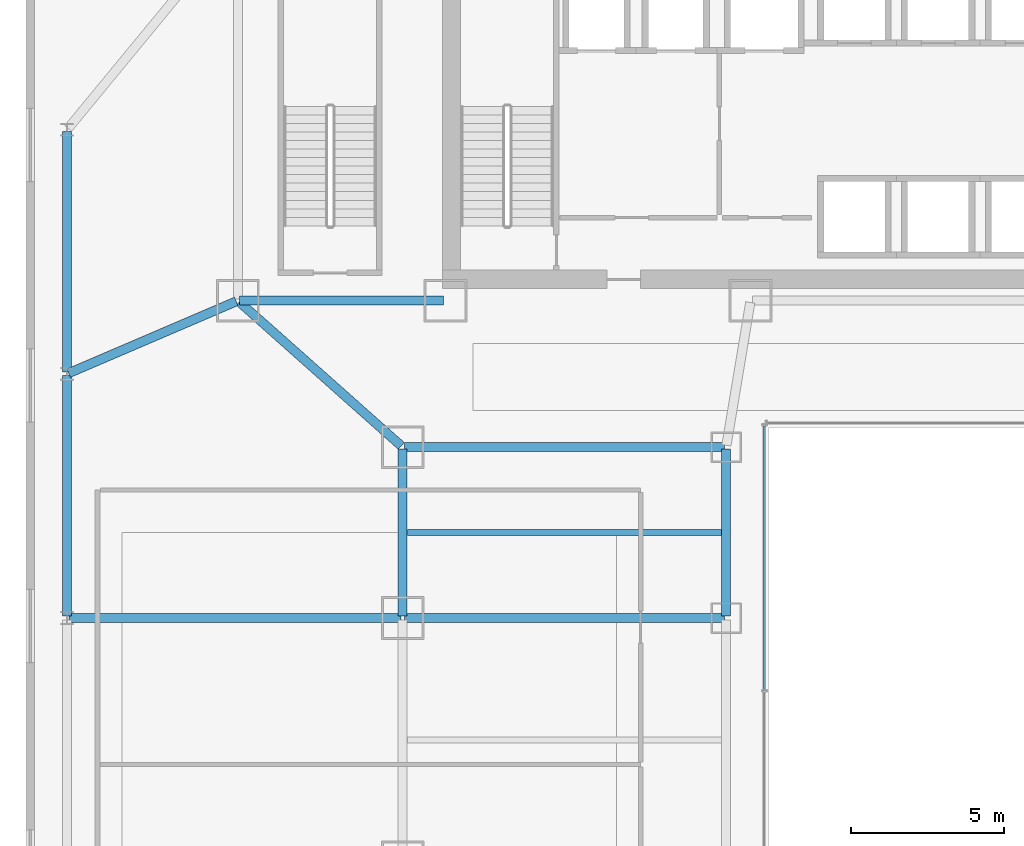
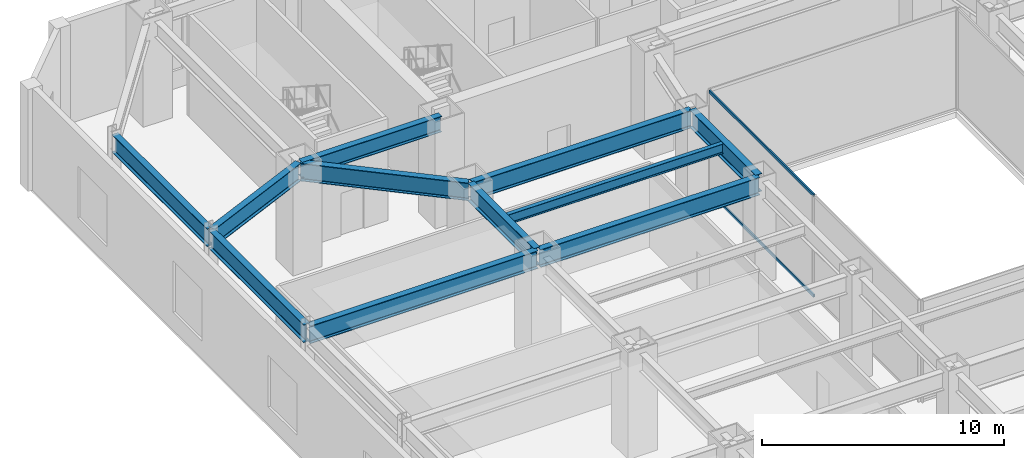
# One storey, part 23 of 53: 11 beams, 2 members, 1 element without a shape of its own.
"""IFC4 building model written with IfcOpenShell, lengths in metres."""

from ifc_helpers import new_model, si_unit, direction, frame, origin, origin_2d, place, context, subcontext, project, spatial, hollow_rectangle, i_section, extrude, material, material_profile, profile_set, type_object, element, aggregate, save


model = new_model("IFC4")

# Units and contexts
model_context = context("Model", 3, precision=1e-05, world=origin(), true_north=direction((0.0, 1.0)))
body_context = subcontext(model_context, "Body", "Model", "MODEL_VIEW")
ifc_project = project(units=[si_unit("LENGTHUNIT", "METRE"), si_unit("AREAUNIT", "SQUARE_METRE"), si_unit("VOLUMEUNIT", "CUBIC_METRE"), si_unit("PLANEANGLEUNIT", "RADIAN"), si_unit("MASSUNIT", "GRAM", prefix="KILO")], contexts=[model_context])

# Site, building, storey
site_placement = place(None, origin())
site = spatial("IfcSite", under=ifc_project, at=site_placement, CompositionType="ELEMENT")
building_placement = place(site_placement, origin())
building = spatial("IfcBuilding", under=site, at=building_placement, Name="Saevonmaru Cultural Tower", CompositionType="ELEMENT")
storey_placement = place(building_placement, frame((0.0, 0.0, 22.199951171875)))
storey = spatial("IfcBuildingStorey", under=building, at=storey_placement, Name="L04", CompositionType="ELEMENT", Elevation=22.199951171875)

# Beams
ifc_material_1 = material(Name="Steel SM420", Category="steel")
ifc_material_profile_1 = material_profile(ifc_material_1, i_section(OverallWidth=0.300048828125, OverallDepth=0.800048828125, WebThickness=0.013916015625, FlangeThickness=0.02587890625, FilletRadius=0.028076171875, at=origin_2d()), Name="H-800x300x14x26")
ifc_profile_set_1 = profile_set([ifc_material_profile_1], Name="Steel SM420")
beam_type_1 = type_object("IfcBeamType", Name="BM-G-H800", PredefinedType="BEAM", material=ifc_profile_set_1)
beam_1_placement = place(storey_placement, frame((6.860107421875, 42.39990234375, 4.75), z_axis=(1.0, 0.0, 0.0), x_axis=(0.0, 1.0, 0.0)))
element("IfcBeam", 1, at=beam_1_placement, inside=storey, type_object=beam_type_1, Name="L04 Core South Girder 1", PredefinedType="BEAM", context=body_context, shape_type="SweptSolid", body=[
    extrude(i_section(OverallWidth=0.300048828125, OverallDepth=0.800048828125, WebThickness=0.013916015625, FlangeThickness=0.02587890625, FilletRadius=0.028076171875, at=origin_2d()), origin(), (0.0, 0.0, 1.0), 6.679931640625),
])
ifc_material_profile_2 = material_profile(ifc_material_1, i_section(OverallWidth=0.300048828125, OverallDepth=0.89990234375, WebThickness=0.01611328125, FlangeThickness=0.028076171875, FilletRadius=0.028076171875, at=origin_2d()), Name="H-900x300x16x28")
ifc_profile_set_2 = profile_set([ifc_material_profile_2], Name="Steel SM420")
beam_type_2 = type_object("IfcBeamType", Name="BM-G-H900", PredefinedType="BEAM", material=ifc_profile_set_2)
beam_2_placement = place(storey_placement, frame((12.199951171875, 32.06005859375, 4.699951171875), z_axis=(0.0, 1.0, 0.0), x_axis=(-1.0, 0.0, 0.0)))
element("IfcBeam", 2, at=beam_2_placement, inside=storey, type_object=beam_type_2, Name="L04 Podium Girder NS1-5", PredefinedType="BEAM", context=body_context, shape_type="SweptSolid", body=[
    extrude(i_section(OverallWidth=0.300048828125, OverallDepth=0.89990234375, WebThickness=0.01611328125, FlangeThickness=0.028076171875, FilletRadius=0.028076171875, at=origin_2d()), origin(), (0.0, 0.0, 1.0), 5.47998046875),
])
beam_3_placement = place(storey_placement, frame((12.1552734375, 37.639892578125, 4.699951171875), z_axis=(-0.74742827637, 0.664342510819, 0.0), x_axis=(-0.664342510819, -0.74742827637, 0.0)))
element("IfcBeam", 3, at=beam_3_placement, inside=storey, type_object=beam_type_2, Name="L04 Podium Girder NS1-6", PredefinedType="BEAM", context=body_context, shape_type="SweptSolid", body=[
    extrude(i_section(OverallWidth=0.300048828125, OverallDepth=0.89990234375, WebThickness=0.01611328125, FlangeThickness=0.028076171875, FilletRadius=0.028076171875, at=origin_2d()), origin(), (0.0, 0.0, 1.0), 7.10498046875),
])
beam_4_placement = place(storey_placement, frame((22.800048828125, 32.06005859375, 4.699951171875), z_axis=(0.0, 1.0, 0.0), x_axis=(-1.0, 0.0, 0.0)))
element("IfcBeam", 4, at=beam_4_placement, inside=storey, type_object=beam_type_2, Name="L04 Podium Girder NS2-5", PredefinedType="BEAM", context=body_context, shape_type="SweptSolid", body=[
    extrude(i_section(OverallWidth=0.300048828125, OverallDepth=0.89990234375, WebThickness=0.01611328125, FlangeThickness=0.028076171875, FilletRadius=0.028076171875, at=origin_2d()), origin(), (0.0, 0.0, 1.0), 5.47998046875),
])
for number, where, z_axis, x_axis, name in (
    (5, (12.260009765625, 32.0, 4.699951171875), (1.0, 0.0, 0.0), (0.0, 1.0, 0.0), "L04 Gallery Girder W-4"),
    (6, (12.260009765625, 37.60009765625, 4.699951171875), (1.0, 0.0, 0.0), (0.0, 1.0, 0.0), "L04 Gallery Girder W-5"),
):
    element("IfcBeam", number, at=place(storey_placement, frame(where, z_axis=z_axis, x_axis=x_axis)), inside=storey, type_object=beam_type_2, Name=name, PredefinedType="BEAM", context=body_context, shape_type="SweptSolid", body=[
        extrude(i_section(OverallWidth=0.300048828125, OverallDepth=0.89990234375, WebThickness=0.01611328125, FlangeThickness=0.028076171875, FilletRadius=0.028076171875, at=origin_2d()), origin(), (0.0, 0.0, 1.0), 10.47998046875),
    ])
beam_5_placement = place(storey_placement, frame((1.260009765625, 32.0, 4.699951171875), z_axis=(1.0, 0.0, 0.0), x_axis=(0.0, 1.0, 0.0)))
element("IfcBeam", 7, at=beam_5_placement, inside=storey, type_object=beam_type_2, Name="BM-POD-OW-4-L04", PredefinedType="BEAM", context=body_context, shape_type="SweptSolid", body=[
    extrude(i_section(OverallWidth=0.300048828125, OverallDepth=0.89990234375, WebThickness=0.01611328125, FlangeThickness=0.028076171875, FilletRadius=0.028076171875, at=origin_2d()), origin(), (0.0, 0.0, 1.0), 10.8798828125),
])
for number, where, z_axis, x_axis, name in (
    (8, (1.199951171875, 32.06005859375, 4.699951171875), (0.0, 1.0, 0.0), (-1.0, 0.0, 0.0), "BM-POD-PW-4-L04"),
    (9, (1.199951171875, 40.06005859375, 4.699951171875), (0.0, 1.0, 0.0), (-1.0, 0.0, 0.0), "BM-POD-PW-5-L04"),
):
    element("IfcBeam", number, at=place(storey_placement, frame(where, z_axis=z_axis, x_axis=x_axis)), inside=storey, type_object=beam_type_2, Name=name, PredefinedType="BEAM", context=body_context, shape_type="SweptSolid", body=[
        extrude(i_section(OverallWidth=0.300048828125, OverallDepth=0.89990234375, WebThickness=0.01611328125, FlangeThickness=0.028076171875, FilletRadius=0.028076171875, at=origin_2d()), origin(), (0.0, 0.0, 1.0), 7.8798828125),
    ])
beam_6_placement = place(storey_placement, frame((1.255126953125, 40.023681640625, 4.699951171875), z_axis=(0.919142915717, 0.393924231912, 0.0), x_axis=(-0.393924231912, 0.919142915717, 0.0)))
element("IfcBeam", 10, at=beam_6_placement, inside=storey, type_object=beam_type_2, Name="BM-POD-TW1-L04", PredefinedType="BEAM", context=body_context, shape_type="SweptSolid", body=[
    extrude(i_section(OverallWidth=0.300048828125, OverallDepth=0.89990234375, WebThickness=0.01611328125, FlangeThickness=0.028076171875, FilletRadius=0.028076171875, at=origin_2d()), origin(), (0.0, 0.0, 1.0), 5.97265625),
])
ifc_material_2 = material(Name="Steel SM355", Category="steel")
ifc_material_profile_3 = material_profile(ifc_material_2, i_section(OverallWidth=0.199951171875, OverallDepth=0.5, WebThickness=0.010009765625, FlangeThickness=0.01611328125, FilletRadius=0.02001953125, at=origin_2d()), Name="H-500x200x10x16")
ifc_profile_set_3 = profile_set([ifc_material_profile_3], Name="Steel SM355")
beam_type_3 = type_object("IfcBeamType", Name="BM-J-H500", PredefinedType="JOIST", material=ifc_profile_set_3)
beam_7_placement = place(storey_placement, frame((12.35791015625, 34.800048828125, 4.900146484375), z_axis=(1.0, 0.0, 0.0), x_axis=(0.0, 1.0, 0.0)))
element("IfcBeam", 11, at=beam_7_placement, inside=storey, type_object=beam_type_3, Name="L04 Secondary Floor Joist JW-4", PredefinedType="JOIST", context=body_context, shape_type="SweptSolid", body=[
    extrude(i_section(OverallWidth=0.199951171875, OverallDepth=0.5, WebThickness=0.010009765625, FlangeThickness=0.01611328125, FilletRadius=0.02001953125, at=origin_2d()), origin(), (0.0, 0.0, 1.0), 10.2841796875),
])

# Curtain wall, members
ifc_material_3 = material(Name="Satin Bronze Anodised Aluminium", Category="aluminium")
curtain_wall_type = type_object("IfcCurtainWallType", Name="CW-ATR-GLZ", PredefinedType="NOTDEFINED", material=ifc_material_3)
curtain_wall_placement = place(storey_placement, origin())
curtain_wall = element("IfcCurtainWall", 12, at=curtain_wall_placement, inside=storey, type_object=curtain_wall_type, Name="L04 Vertical Atrium Glazed Smoke Screen 4", PredefinedType="NOTDEFINED")
ifc_material_profile_4 = material_profile(ifc_material_3, hollow_rectangle(XDim=0.06494140625, YDim=0.14990234375, WallThickness=0.00390625, at=origin_2d()), Name="ALU-TRAN-150x65x4")
ifc_profile_set_4 = profile_set([ifc_material_profile_4], Name="Satin Bronze Anodised Aluminium")
member_type = type_object("IfcMemberType", Name="TR-CW-INT-150x65", PredefinedType="USERDEFINED", material=ifc_profile_set_4)
member_1_placement = place(storey_placement, frame((24.050048828125, 38.297607421875, 0.032470703125), z_axis=(0.0, -1.0, 0.0), x_axis=(1.0, 0.0, 0.0)))
member_1 = element("IfcMember", 13, at=member_1_placement, type_object=member_type, Name="CW-ATR-L04-4 transom 1.1", ObjectType="TRANSOM", PredefinedType="USERDEFINED", context=body_context, shape_type="SweptSolid", body=[
    extrude(hollow_rectangle(XDim=0.06494140625, YDim=0.14990234375, WallThickness=0.00390625, at=origin_2d()), origin(), (0.0, 0.0, 1.0), 8.64501953125),
])
member_2_placement = place(storey_placement, frame((24.050048828125, 38.297607421875, 5.117431640625), z_axis=(0.0, -1.0, 0.0), x_axis=(1.0, 0.0, 0.0)))
member_2 = element("IfcMember", 14, at=member_2_placement, type_object=member_type, Name="CW-ATR-L04-4 transom 1.2", ObjectType="TRANSOM", PredefinedType="USERDEFINED", context=body_context, shape_type="SweptSolid", body=[
    extrude(hollow_rectangle(XDim=0.06494140625, YDim=0.14990234375, WallThickness=0.00390625, at=origin_2d()), origin(), (0.0, 0.0, 1.0), 8.64501953125),
])
aggregate(curtain_wall, [member_1, member_2])

save(model, "model.ifc")
